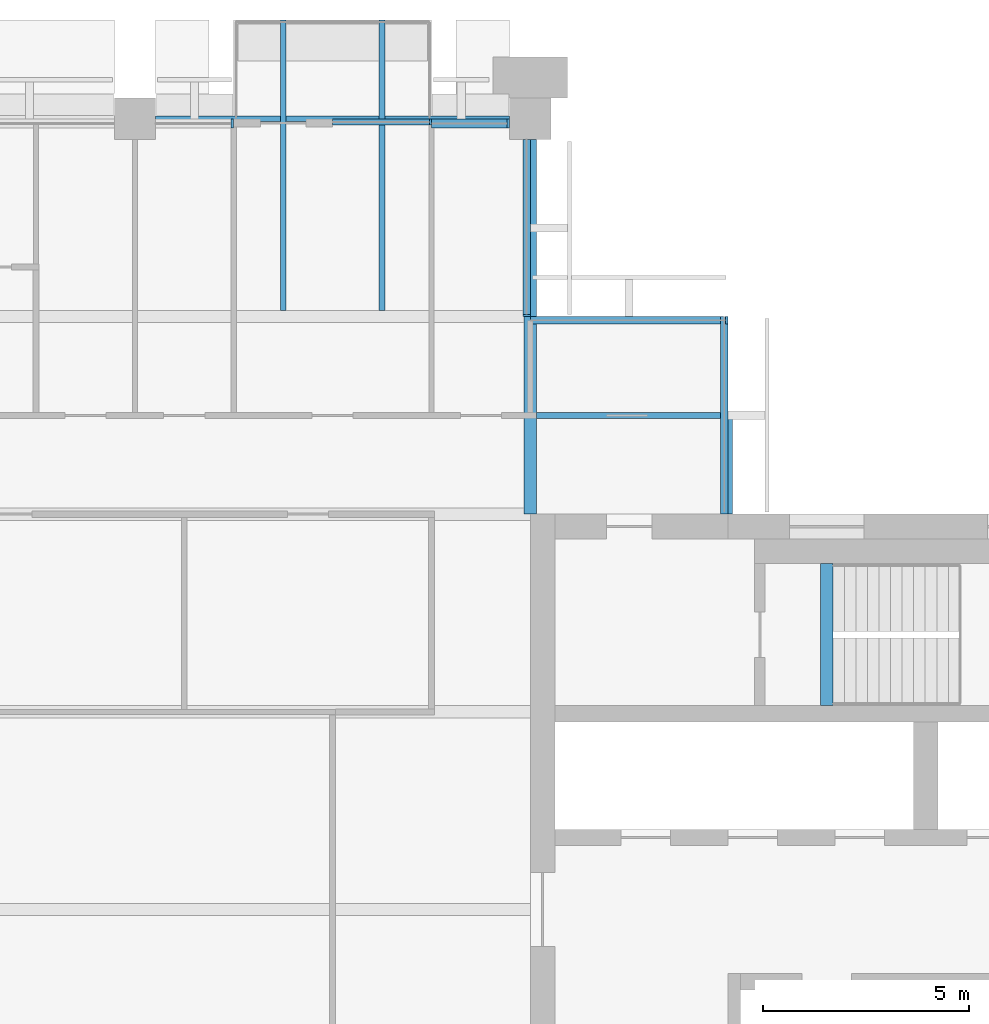
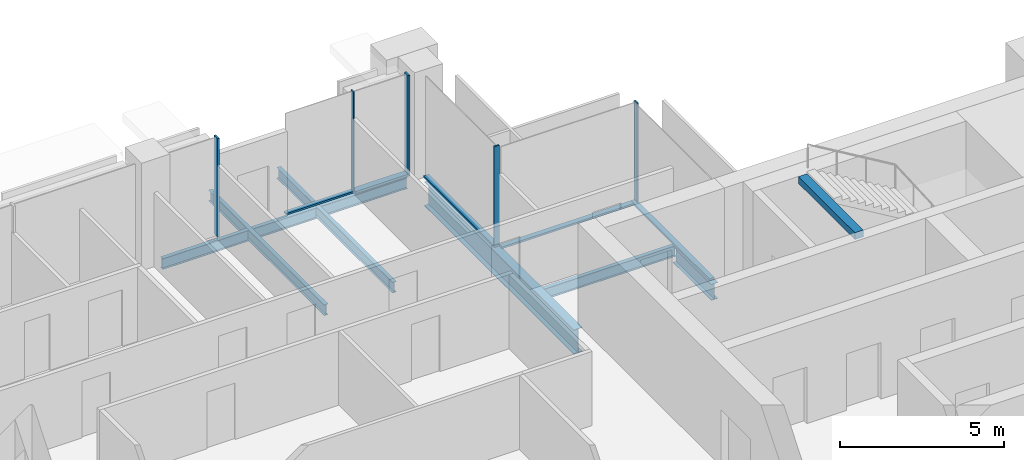
# One storey, part 6 of 13: 10 members, 9 beams, 6 elements without a shape of their own.
"""IFC4 building model written with IfcOpenShell, lengths in metres."""

from ifc_helpers import new_model, si_unit, direction, frame, origin, origin_2d, place, context, subcontext, project, spatial, rectangle, i_section, extrude, material, material_profile, profile_set, type_object, element, aggregate, save


model = new_model("IFC4")

# Units and contexts
model_context = context("Model", 3, precision=1e-05, world=origin(), true_north=direction((0.0, 1.0)))
body_context = subcontext(model_context, "Body", "Model", "MODEL_VIEW")
ifc_project = project(units=[si_unit("LENGTHUNIT", "METRE"), si_unit("AREAUNIT", "SQUARE_METRE"), si_unit("VOLUMEUNIT", "CUBIC_METRE"), si_unit("PLANEANGLEUNIT", "RADIAN"), si_unit("MASSUNIT", "GRAM", prefix="KILO")], contexts=[model_context])

# Site, building, storey
site_placement = place(None, origin())
site = spatial("IfcSite", under=ifc_project, at=site_placement, CompositionType="ELEMENT")
building_placement = place(site_placement, origin())
building = spatial("IfcBuilding", under=site, at=building_placement, Name="Baori Bourse Tower", CompositionType="ELEMENT")
storey_placement = place(building_placement, frame((0.0, 0.0, 350.300048828125)))
storey = spatial("IfcBuildingStorey", under=building, at=storey_placement, Name="L78", CompositionType="ELEMENT", Elevation=350.300048828125)

# Beams
ifc_material_1 = material(Name="Steel A992 Gr 50", Category="steel")
ifc_material_profile_1 = material_profile(ifc_material_1, i_section(OverallWidth=0.140380859375, OverallDepth=0.40380859375, WebThickness=0.007080078125, FlangeThickness=0.01123046875, at=origin_2d()), Name="W16x31")
ifc_profile_set_1 = profile_set([ifc_material_profile_1], Name="Steel A992 Gr 50")
beam_type_1 = type_object("IfcBeamType", Name="Balcony beam W16x31", PredefinedType="BEAM", material=ifc_profile_set_1)
for number, where, z_axis, x_axis, name in (
    (1, (32.39990234375, 50.39990234375, -0.362060546875), (0.0, -1.0, 0.0), (1.0, 0.0, 0.0), "Balcony beam L78"),
    (2, (34.800048828125, 50.39990234375, -0.362060546875), (0.0, -1.0, 0.0), (1.0, 0.0, 0.0), "Balcony beam L78"),
):
    element("IfcBeam", number, at=place(storey_placement, frame(where, z_axis=z_axis, x_axis=x_axis)), inside=storey, type_object=beam_type_1, Name=name, PredefinedType="BEAM", context=body_context, shape_type="SweptSolid", body=[
        extrude(i_section(OverallWidth=0.140380859375, OverallDepth=0.40380859375, WebThickness=0.007080078125, FlangeThickness=0.01123046875, at=origin_2d()), origin(), (0.0, 0.0, 1.0), 7.050048828125),
    ])

# Curtain wall, member
ifc_material_2 = material(Name="Pale anodised aluminium", Category="aluminium")
curtain_wall_type_1 = type_object("IfcCurtainWallType", Name="CW2 Curtain wall", PredefinedType="NOTDEFINED", material=ifc_material_2)
curtain_wall_1_placement = place(storey_placement, origin())
curtain_wall_1 = element("IfcCurtainWall", 3, at=curtain_wall_1_placement, inside=storey, type_object=curtain_wall_type_1, Name="Curtain wall CW2 L78 2", PredefinedType="NOTDEFINED")
ifc_material_3 = material(Name="Pale anodised aluminium", Category="aluminium")
ifc_material_profile_2 = material_profile(ifc_material_3, rectangle(XDim=0.179931640625, YDim=0.054931640625, at=origin_2d()), Name="Mullion 55x180")
ifc_profile_set_2 = profile_set([ifc_material_profile_2], Name="Pale anodised aluminium")
member_type_1 = type_object("IfcMemberType", Name="CW2 Curtain wall mullion", PredefinedType="MULLION", material=ifc_profile_set_2)
member_1_placement = place(storey_placement, frame((43.172607421875, 43.110107421875, 0.070068359375), z_axis=(0.0, 0.0, 1.0), x_axis=(0.0, -1.0, 0.0)))
member_1 = element("IfcMember", 4, at=member_1_placement, type_object=member_type_1, Name="Curtain wall CW2 mullion", PredefinedType="MULLION", context=body_context, shape_type="SweptSolid", body=[
    extrude(rectangle(XDim=0.179931640625, YDim=0.054931640625, at=origin_2d()), origin(), (0.0, 0.0, 1.0), 3.679931640625),
])

curtain_wall_2_placement = place(storey_placement, origin())
curtain_wall_2 = element("IfcCurtainWall", 5, at=curtain_wall_2_placement, inside=storey, type_object=curtain_wall_type_1, Name="Curtain wall CW2 L78 3", PredefinedType="NOTDEFINED")
member_2_placement = place(storey_placement, frame((38.31005859375, 43.2275390625, 0.070068359375), z_axis=(0.0, 0.0, 1.0), x_axis=(-1.0, 0.0, 0.0)))
member_2 = element("IfcMember", 6, at=member_2_placement, type_object=member_type_1, Name="Curtain wall CW2 mullion", PredefinedType="MULLION", context=body_context, shape_type="SweptSolid", body=[
    extrude(rectangle(XDim=0.179931640625, YDim=0.054931640625, at=origin_2d()), origin(), (0.0, 0.0, 1.0), 3.679931640625),
])

curtain_wall_3_placement = place(storey_placement, origin())
curtain_wall_3 = element("IfcCurtainWall", 7, at=curtain_wall_3_placement, inside=storey, type_object=curtain_wall_type_1, Name="Curtain wall CW2 L78 1", PredefinedType="NOTDEFINED")
ifc_material_4 = material(Name="Pale anodised aluminium", Category="aluminium")
ifc_material_profile_3 = material_profile(ifc_material_4, rectangle(XDim=0.179931640625, YDim=0.070068359375, at=origin_2d()), Name="Transom 70x180")
ifc_profile_set_3 = profile_set([ifc_material_profile_3], Name="Pale anodised aluminium")
member_type_2 = type_object("IfcMemberType", Name="CW2 Curtain wall transom", PredefinedType="USERDEFINED", material=ifc_profile_set_3)
member_3_placement = place(storey_placement, frame((43.110107421875, 38.39990234375, 0.034912109375), z_axis=(0.0, 1.0, 0.0), x_axis=(-1.0, 0.0, 0.0)))
member_3 = element("IfcMember", 8, at=member_3_placement, type_object=member_type_2, Name="Curtain wall CW2 sill rail", ObjectType="TRANSOM", PredefinedType="USERDEFINED", context=body_context, shape_type="SweptSolid", body=[
    extrude(rectangle(XDim=0.179931640625, YDim=0.070068359375, at=origin_2d()), origin(), (0.0, 0.0, 1.0), 4.800048828125),
])
aggregate(curtain_wall_3, [member_3])

# Member
member_4_placement = place(storey_placement, frame((43.199951171875, 43.110107421875, 0.034912109375), z_axis=(-1.0, 0.0, 0.0), x_axis=(0.0, -1.0, 0.0)))
member_4 = element("IfcMember", 9, at=member_4_placement, type_object=member_type_2, Name="Curtain wall CW2 sill rail", ObjectType="TRANSOM", PredefinedType="USERDEFINED", context=body_context, shape_type="SweptSolid", body=[
    extrude(rectangle(XDim=0.179931640625, YDim=0.070068359375, at=origin_2d()), origin(), (0.0, 0.0, 1.0), 4.800048828125),
])

aggregate(curtain_wall_1, [member_4, member_1])

member_5_placement = place(storey_placement, frame((38.31005859375, 43.199951171875, 0.034912109375), z_axis=(0.0, 1.0, 0.0), x_axis=(-1.0, 0.0, 0.0)))
member_5 = element("IfcMember", 10, at=member_5_placement, type_object=member_type_2, Name="Curtain wall CW2 sill rail", ObjectType="TRANSOM", PredefinedType="USERDEFINED", context=body_context, shape_type="SweptSolid", body=[
    extrude(rectangle(XDim=0.179931640625, YDim=0.070068359375, at=origin_2d()), origin(), (0.0, 0.0, 1.0), 4.300048828125),
])

aggregate(curtain_wall_2, [member_5, member_2])

# Curtain wall, member
ifc_material_5 = material(Name="Pale anodised aluminium", Category="aluminium")
curtain_wall_type_2 = type_object("IfcCurtainWallType", Name="CW5 Curtain wall", PredefinedType="NOTDEFINED", material=ifc_material_5)
curtain_wall_4_placement = place(storey_placement, origin())
curtain_wall_4 = element("IfcCurtainWall", 11, at=curtain_wall_4_placement, inside=storey, type_object=curtain_wall_type_2, Name="Curtain wall CW5 L78 4", PredefinedType="NOTDEFINED")
ifc_material_6 = material(Name="Pale anodised aluminium", Category="aluminium")
ifc_material_profile_4 = material_profile(ifc_material_6, rectangle(XDim=0.219970703125, YDim=0.06494140625, at=origin_2d()), Name="Mullion 65x220")
ifc_profile_set_4 = profile_set([ifc_material_profile_4], Name="Pale anodised aluminium")
member_type_3 = type_object("IfcMemberType", Name="CW5 Curtain wall mullion", PredefinedType="MULLION", material=ifc_profile_set_4)
member_6_placement = place(storey_placement, frame((37.867431640625, 47.889892578125, 0.0849609375), z_axis=(0.0, 0.0, 1.0), x_axis=(0.0, -1.0, 0.0)))
member_6 = element("IfcMember", 12, at=member_6_placement, type_object=member_type_3, Name="Curtain wall CW5 mullion", PredefinedType="MULLION", context=body_context, shape_type="SweptSolid", body=[
    extrude(rectangle(XDim=0.219970703125, YDim=0.06494140625, at=origin_2d()), origin(), (0.0, 0.0, 1.0), 3.6650390625),
])

curtain_wall_5_placement = place(storey_placement, origin())
curtain_wall_5 = element("IfcCurtainWall", 13, at=curtain_wall_5_placement, inside=storey, type_object=curtain_wall_type_2, Name="Curtain wall CW5 L78 6", PredefinedType="NOTDEFINED")
member_7_placement = place(storey_placement, frame((31.16748046875, 47.889892578125, 0.0849609375), z_axis=(0.0, 0.0, 1.0), x_axis=(0.0, -1.0, 0.0)))
member_7 = element("IfcMember", 14, at=member_7_placement, type_object=member_type_3, Name="Curtain wall CW5 mullion", PredefinedType="MULLION", context=body_context, shape_type="SweptSolid", body=[
    extrude(rectangle(XDim=0.219970703125, YDim=0.06494140625, at=origin_2d()), origin(), (0.0, 0.0, 1.0), 3.6650390625),
])
aggregate(curtain_wall_5, [member_7])

# Member
ifc_material_7 = material(Name="Pale anodised aluminium", Category="aluminium")
ifc_material_profile_5 = material_profile(ifc_material_7, rectangle(XDim=0.219970703125, YDim=0.0849609375, at=origin_2d()), Name="Transom 85x220")
ifc_profile_set_5 = profile_set([ifc_material_profile_5], Name="Pale anodised aluminium")
member_type_4 = type_object("IfcMemberType", Name="CW5 Curtain wall transom", PredefinedType="USERDEFINED", material=ifc_profile_set_5)
member_8_placement = place(storey_placement, frame((37.89990234375, 47.889892578125, 0.04248046875), z_axis=(-1.0, 0.0, 0.0), x_axis=(0.0, -1.0, 0.0)))
member_8 = element("IfcMember", 15, at=member_8_placement, type_object=member_type_4, Name="Curtain wall CW5 sill rail", ObjectType="TRANSOM", PredefinedType="USERDEFINED", context=body_context, shape_type="SweptSolid", body=[
    extrude(rectangle(XDim=0.219970703125, YDim=0.0849609375, at=origin_2d()), origin(), (0.0, 0.0, 1.0), 1.89990234375),
])

aggregate(curtain_wall_4, [member_8, member_6])

# Curtain wall, members
ifc_material_8 = material(Name="Pale anodised aluminium", Category="aluminium")
curtain_wall_type_3 = type_object("IfcCurtainWallType", Name="CW6 Curtain wall", PredefinedType="NOTDEFINED", material=ifc_material_8)
curtain_wall_6_placement = place(storey_placement, origin())
curtain_wall_6 = element("IfcCurtainWall", 16, at=curtain_wall_6_placement, inside=storey, type_object=curtain_wall_type_3, Name="Curtain wall CW6 L78 5", PredefinedType="NOTDEFINED")
ifc_material_9 = material(Name="Pale anodised aluminium", Category="aluminium")
ifc_material_profile_6 = material_profile(ifc_material_9, rectangle(XDim=0.14990234375, YDim=0.050048828125, at=origin_2d()), Name="Mullion 50x150")
ifc_profile_set_6 = profile_set([ifc_material_profile_6], Name="Pale anodised aluminium")
member_type_5 = type_object("IfcMemberType", Name="CW6 Curtain wall mullion", PredefinedType="MULLION", material=ifc_profile_set_6)
member_9_placement = place(storey_placement, frame((35.97509765625, 47.925048828125, 0.06494140625), z_axis=(0.0, 0.0, 1.0), x_axis=(0.0, -1.0, 0.0)))
member_9 = element("IfcMember", 17, at=member_9_placement, type_object=member_type_5, Name="Curtain wall CW6 mullion", PredefinedType="MULLION", context=body_context, shape_type="SweptSolid", body=[
    extrude(rectangle(XDim=0.14990234375, YDim=0.050048828125, at=origin_2d()), origin(), (0.0, 0.0, 1.0), 3.68505859375),
])
ifc_material_10 = material(Name="Pale anodised aluminium", Category="aluminium")
ifc_material_profile_7 = material_profile(ifc_material_10, rectangle(XDim=0.14990234375, YDim=0.06494140625, at=origin_2d()), Name="Transom 65x150")
ifc_profile_set_7 = profile_set([ifc_material_profile_7], Name="Pale anodised aluminium")
member_type_6 = type_object("IfcMemberType", Name="CW6 Curtain wall transom", PredefinedType="USERDEFINED", material=ifc_profile_set_7)
member_10_placement = place(storey_placement, frame((36.0, 47.925048828125, 0.032470703125), z_axis=(-1.0, 0.0, 0.0), x_axis=(0.0, -1.0, 0.0)))
member_10 = element("IfcMember", 18, at=member_10_placement, type_object=member_type_6, Name="Curtain wall CW6 sill rail", ObjectType="TRANSOM", PredefinedType="USERDEFINED", context=body_context, shape_type="SweptSolid", body=[
    extrude(rectangle(XDim=0.14990234375, YDim=0.06494140625, at=origin_2d()), origin(), (0.0, 0.0, 1.0), 2.39990234375),
])
aggregate(curtain_wall_6, [member_10, member_9])

# Beams
ifc_material_11 = material(Name="Steel A992 Gr 50", Category="steel")
ifc_material_profile_8 = material_profile(ifc_material_11, i_section(OverallWidth=0.227783203125, OverallDepth=0.60205078125, WebThickness=0.010498046875, FlangeThickness=0.014892578125, at=origin_2d()), Name="W24x68")
ifc_profile_set_8 = profile_set([ifc_material_profile_8], Name="Steel A992 Gr 50")
beam_type_2 = type_object("IfcBeamType", Name="Core bracket W24x68", PredefinedType="BEAM", material=ifc_profile_set_8)
beam_1_placement = place(storey_placement, frame((43.199951171875, 38.39990234375, -0.4609375), z_axis=(0.0, 1.0, 0.0), x_axis=(-1.0, 0.0, 0.0)))
element("IfcBeam", 19, at=beam_1_placement, inside=storey, type_object=beam_type_2, Name="Core bracket L78", PredefinedType="BEAM", context=body_context, shape_type="SweptSolid", body=[
    extrude(i_section(OverallWidth=0.227783203125, OverallDepth=0.60205078125, WebThickness=0.010498046875, FlangeThickness=0.014892578125, at=origin_2d()), origin(), (0.0, 0.0, 1.0), 2.329833984375),
])
ifc_material_12 = material(Name="Steel A992 Gr 50", Category="steel")
ifc_material_profile_9 = material_profile(ifc_material_12, i_section(OverallWidth=0.140380859375, OverallDepth=0.40380859375, WebThickness=0.007080078125, FlangeThickness=0.01123046875, at=origin_2d()), Name="W16x31")
ifc_profile_set_9 = profile_set([ifc_material_profile_9], Name="Steel A992 Gr 50")
beam_type_3 = type_object("IfcBeamType", Name="Edge beam W16x31", PredefinedType="BEAM", material=ifc_profile_set_9)
beam_2_placement = place(storey_placement, frame((29.300048828125, 48.0, -0.362060546875), z_axis=(1.0, 0.0, 0.0), x_axis=(0.0, 1.0, 0.0)))
element("IfcBeam", 20, at=beam_2_placement, inside=storey, type_object=beam_type_3, Name="Edge beam L78", PredefinedType="BEAM", context=body_context, shape_type="SweptSolid", body=[
    extrude(i_section(OverallWidth=0.140380859375, OverallDepth=0.40380859375, WebThickness=0.007080078125, FlangeThickness=0.01123046875, at=origin_2d()), origin(), (0.0, 0.0, 1.0), 3.02978515625),
])
beam_3_placement = place(storey_placement, frame((32.47021484375, 48.0, -0.362060546875), z_axis=(1.0, 0.0, 0.0), x_axis=(0.0, 1.0, 0.0)))
element("IfcBeam", 21, at=beam_3_placement, inside=storey, type_object=beam_type_3, Name="Edge beam L78", PredefinedType="BEAM", context=body_context, shape_type="SweptSolid", body=[
    extrude(i_section(OverallWidth=0.140380859375, OverallDepth=0.40380859375, WebThickness=0.007080078125, FlangeThickness=0.01123046875, at=origin_2d()), origin(), (0.0, 0.0, 1.0), 2.259521484375),
])
beam_4_placement = place(storey_placement, frame((34.8701171875, 48.0, -0.362060546875), z_axis=(1.0, 0.0, 0.0), x_axis=(0.0, 1.0, 0.0)))
element("IfcBeam", 22, at=beam_4_placement, inside=storey, type_object=beam_type_3, Name="Edge beam L78", PredefinedType="BEAM", context=body_context, shape_type="SweptSolid", body=[
    extrude(i_section(OverallWidth=0.140380859375, OverallDepth=0.40380859375, WebThickness=0.007080078125, FlangeThickness=0.01123046875, at=origin_2d()), origin(), (0.0, 0.0, 1.0), 3.02978515625),
])
ifc_material_13 = material(Name="Steel A992 Gr 50", Category="steel")
ifc_material_profile_10 = material_profile(ifc_material_13, i_section(OverallWidth=0.3046875, OverallDepth=0.904296875, WebThickness=0.01513671875, FlangeThickness=0.02001953125, at=origin_2d()), Name="W36x135")
ifc_profile_set_10 = profile_set([ifc_material_profile_10], Name="Steel A992 Gr 50")
beam_type_4 = type_object("IfcBeamType", Name="Girder W36x135", PredefinedType="BEAM", material=ifc_profile_set_10)
beam_5_placement = place(storey_placement, frame((38.39990234375, 38.39990234375, -0.612060546875), z_axis=(0.0, 1.0, 0.0), x_axis=(-1.0, 0.0, 0.0)))
element("IfcBeam", 23, at=beam_5_placement, inside=storey, type_object=beam_type_4, Name="Girder L78", PredefinedType="BEAM", context=body_context, shape_type="SweptSolid", body=[
    extrude(i_section(OverallWidth=0.3046875, OverallDepth=0.904296875, WebThickness=0.01513671875, FlangeThickness=0.02001953125, at=origin_2d()), origin(), (0.0, 0.0, 1.0), 9.10009765625),
])
ifc_material_14 = material(Name="Concrete f'c 50 MPa", Category="concrete")
ifc_material_profile_11 = material_profile(ifc_material_14, rectangle(XDim=0.300048828125, YDim=0.25, at=origin_2d()), Name="RC 300x250")
ifc_profile_set_11 = profile_set([ifc_material_profile_11], Name="Concrete f'c 50 MPa")
beam_type_5 = type_object("IfcBeamType", Name="Stair nib beam RC 300x250", PredefinedType="BEAM", material=ifc_profile_set_11)
beam_6_placement = place(storey_placement, frame((45.60009765625, 33.75, 3.625), z_axis=(0.0, 1.0, 0.0), x_axis=(-1.0, 0.0, 0.0)))
element("IfcBeam", 24, at=beam_6_placement, inside=storey, type_object=beam_type_5, Name="Stair EB nib beam L79", PredefinedType="BEAM", context=body_context, shape_type="SweptSolid", body=[
    extrude(rectangle(XDim=0.300048828125, YDim=0.25, at=origin_2d()), origin(), (0.0, 0.0, 1.0), 3.449951171875),
])
ifc_material_15 = material(Name="Steel A992 Gr 50", Category="steel")
ifc_material_profile_12 = material_profile(ifc_material_15, i_section(OverallWidth=0.140380859375, OverallDepth=0.40380859375, WebThickness=0.007080078125, FlangeThickness=0.01123046875, at=origin_2d()), Name="W16x31")
ifc_profile_set_12 = profile_set([ifc_material_profile_12], Name="Steel A992 Gr 50")
beam_type_6 = type_object("IfcBeamType", Name="Trimmer beam W16x31", PredefinedType="BEAM", material=ifc_profile_set_12)
beam_7_placement = place(storey_placement, frame((38.552490234375, 40.800048828125, -0.362060546875), z_axis=(1.0, 0.0, 0.0), x_axis=(0.0, 1.0, 0.0)))
element("IfcBeam", 25, at=beam_7_placement, inside=storey, type_object=beam_type_6, Name="Trimmer beam L78", PredefinedType="BEAM", context=body_context, shape_type="SweptSolid", body=[
    extrude(i_section(OverallWidth=0.140380859375, OverallDepth=0.40380859375, WebThickness=0.007080078125, FlangeThickness=0.01123046875, at=origin_2d()), origin(), (0.0, 0.0, 1.0), 4.6474609375),
])

save(model, "model.ifc")
